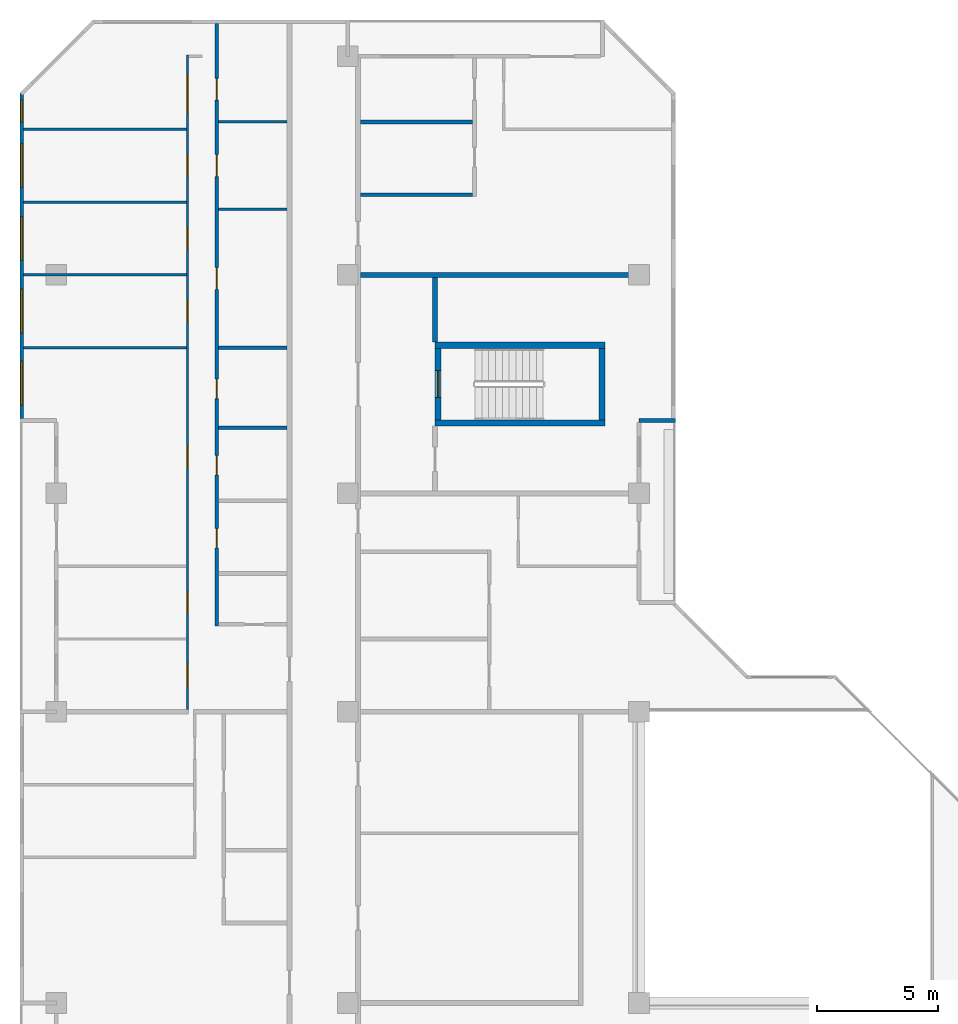
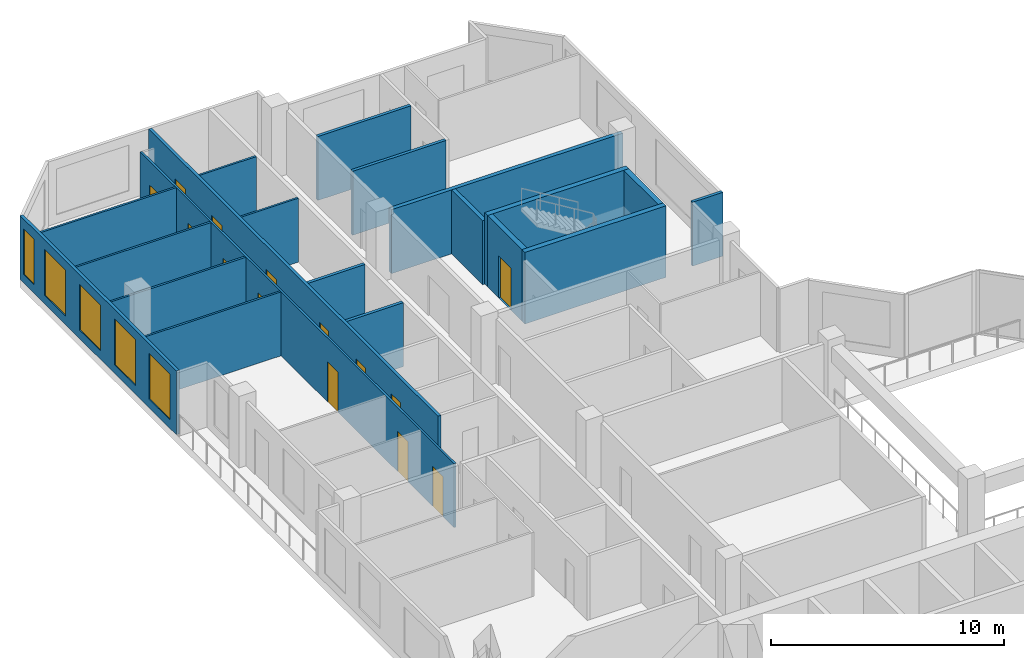
# One storey, part 10 of 15: 20 walls, 14 doors, 5 windows, 19 openings.
"""IFC4 building model written with IfcOpenShell, lengths in metres."""

from ifc_helpers import new_model, si_unit, direction, frame, frame_2d, origin, place, context, subcontext, project, spatial, rectangle, extrude, material, layer, layer_set, type_object, element, fill, save


model = new_model("IFC4")

# Units and contexts
model_context = context("Model", 3, precision=1e-05, world=origin(), true_north=direction((0.0, 1.0)))
body_context = subcontext(model_context, "Body", "Model", "MODEL_VIEW")
ifc_project = project(units=[si_unit("LENGTHUNIT", "METRE"), si_unit("AREAUNIT", "SQUARE_METRE"), si_unit("VOLUMEUNIT", "CUBIC_METRE"), si_unit("PLANEANGLEUNIT", "RADIAN"), si_unit("MASSUNIT", "GRAM", prefix="KILO")], contexts=[model_context])

# Site, building, storey
site_placement = place(None, origin())
site = spatial("IfcSite", under=ifc_project, at=site_placement, CompositionType="ELEMENT")
building_placement = place(site_placement, origin())
building = spatial("IfcBuilding", under=site, at=building_placement, Name="Chenar Terraces", CompositionType="ELEMENT")
storey_placement = place(building_placement, frame((0.0, 0.0, 215.39990234375)))
storey = spatial("IfcBuildingStorey", under=building, at=storey_placement, Name="L50", CompositionType="ELEMENT", Elevation=215.39990234375)

# Walls
ifc_material_1 = material(Name="Concrete C60/75", Category="concrete")
ifc_layer_1 = layer(ifc_material_1, 0.25)
ifc_layer_set_1 = layer_set([ifc_layer_1], Name="Concrete C60/75")
wall_type_1 = type_object("IfcWallType", Name="Core wall 250 Concrete C60/75", PredefinedType="SHEAR", material=ifc_layer_set_1)
for number, where, z_axis, x_axis, name in (
    (1, (15.60009765625, 47.89990234375, 0.0), (0.0, 0.0, 1.0), (1.0, 0.0, 0.0), "Core wall ST4_S L50"),
    (2, (15.60009765625, 51.10009765625, 0.0), (0.0, 0.0, 1.0), (1.0, 0.0, 0.0), "Core wall ST4_N L50"),
):
    element("IfcWall", number, at=place(storey_placement, frame(where, z_axis=z_axis, x_axis=x_axis)), inside=storey, type_object=wall_type_1, Name=name, PredefinedType="SHEAR", context=body_context, shape_type="SweptSolid", body=[
        extrude(rectangle(XDim=7.0, YDim=0.25, at=frame_2d((3.5, 0.0))), origin(), (0.0, 0.0, 1.0), 3.75),
    ])

# Wall, opening, door
wall_1_placement = place(storey_placement, frame((15.72509765625, 48.02490234375, 0.0), z_axis=(0.0, 0.0, 1.0), x_axis=(0.0, 1.0, 0.0)))
wall_1 = element("IfcWall", 3, at=wall_1_placement, inside=storey, type_object=wall_type_1, Name="Core wall ST4_W L50", PredefinedType="SHEAR", context=body_context, shape_type="SweptSolid", body=[
    extrude(rectangle(XDim=2.9501953125, YDim=0.25, at=frame_2d((1.47509765625, 0.0))), origin(), (0.0, 0.0, 1.0), 3.75),
])
opening_1_placement = place(wall_1_placement, frame((0.925048828125, 0.0, 0.0)))
opening_1 = element("IfcOpeningElement", 4, at=opening_1_placement, cuts=wall_1, Name="Opening DL50-C9", PredefinedType="OPENING", context=body_context, shape_type="SweptSolid", body=[
    extrude(rectangle(XDim=1.10009765625, YDim=2.199951171875, at=frame_2d((0.550048828125, 1.10009765625))), frame((0.0, 0.135009765625, 0.0), z_axis=(0.0, -1.0, 0.0), x_axis=(1.0, 0.0, 0.0)), (0.0, 0.0, 1.0), 0.27001953125),
])
ifc_material_2 = material(Name="Steel-framed fire-resisting door leaf", Category="steel")
door_type_1 = type_object("IfcDoorType", Name="Stair fire door FD60 1100 x 2200", OperationType="SINGLE_SWING_LEFT", PredefinedType="DOOR", material=ifc_material_2)
door_1_placement = place(opening_1_placement, frame((1.10009765625, 0.0, 0.0), z_axis=(0.0, 0.0, 1.0), x_axis=(-1.0, 0.0, 0.0)))
door_1 = element("IfcDoor", 5, at=door_1_placement, inside=storey, type_object=door_type_1, Name="Stair door DL50-C9", OperationType="SINGLE_SWING_RIGHT", OverallHeight=2.199951171875, OverallWidth=1.10009765625, PredefinedType="DOOR", context=body_context, shape_type="SweptSolid", body=[
    extrude(rectangle(XDim=1.10009765625, YDim=2.199951171875, at=frame_2d((0.550048828125, 1.10009765625))), frame((0.0, 0.02490234375, 0.0), z_axis=(0.0, -1.0, 0.0), x_axis=(1.0, 0.0, 0.0)), (0.0, 0.0, 1.0), 0.050048828125),
])
fill(opening_1, door_1)

# Walls
wall_2_placement = place(storey_placement, frame((22.47509765625, 48.02490234375, 0.0), z_axis=(0.0, 0.0, 1.0), x_axis=(0.0, 1.0, 0.0)))
element("IfcWall", 6, at=wall_2_placement, inside=storey, type_object=wall_type_1, Name="Core wall ST4_E L50", PredefinedType="SHEAR", context=body_context, shape_type="SweptSolid", body=[
    extrude(rectangle(XDim=2.9501953125, YDim=0.25, at=frame_2d((1.47509765625, 0.0))), origin(), (0.0, 0.0, 1.0), 3.75),
])
ifc_material_3 = material(Name="Gypsum board on steel studs with fire boards", Category="steel")
ifc_layer_2 = layer(ifc_material_3, 0.199951171875)
ifc_layer_set_2 = layer_set([ifc_layer_2], Name="Gypsum board on steel studs with fire boards")
wall_type_2 = type_object("IfcWallType", Name="Corridor wall 200", PredefinedType="PARTITIONING", material=ifc_layer_set_2)
wall_3_placement = place(storey_placement, frame((15.60009765625, 51.22509765625, 0.0), z_axis=(0.0, 0.0, 1.0), x_axis=(0.0, 1.0, 0.0)))
element("IfcWall", 7, at=wall_3_placement, inside=storey, type_object=wall_type_2, Name="Partition L50-045", PredefinedType="PARTITIONING", context=body_context, shape_type="SweptSolid", body=[
    extrude(rectangle(XDim=2.6748046875, YDim=0.199951171875, at=frame_2d((1.33740234375, 0.0))), origin(), (0.0, 0.0, 1.0), 3.35009765625),
])

# Wall, openings, windows
ifc_material_4 = material(Name="Aluminium framed glazing", Category="aluminium")
ifc_layer_3 = layer(ifc_material_4, 0.14990234375)
ifc_layer_set_3 = layer_set([ifc_layer_3], Name="Aluminium framed glazing")
wall_type_3 = type_object("IfcWallType", Name="Glazed flush facade wall 150", PredefinedType="SOLIDWALL", material=ifc_layer_set_3)
wall_4_placement = place(storey_placement, frame((-1.425048828125, 61.5, 0.0), z_axis=(0.0, 0.0, 1.0), x_axis=(0.0, -1.0, 0.0)))
wall_4 = element("IfcWall", 8, at=wall_4_placement, inside=storey, type_object=wall_type_3, Name="Glazed flush facade wall", PredefinedType="SOLIDWALL", context=body_context, shape_type="SweptSolid", body=[
    extrude(rectangle(XDim=13.425048828125, YDim=0.14990234375, at=frame_2d((6.71240234375, 0.0))), origin(), (0.0, 0.0, 1.0), 3.35009765625),
])
opening_2_placement = place(wall_4_placement, frame((0.300048828125, 0.0, 0.449951171875)))
opening_2 = element("IfcOpeningElement", 9, at=opening_2_placement, cuts=wall_4, Name="Opening W90x240", PredefinedType="OPENING", context=body_context, shape_type="SweptSolid", body=[
    extrude(rectangle(XDim=0.89990234375, YDim=2.39990234375, at=frame_2d((0.449951171875, 1.199951171875))), frame((0.0, 0.0849609375, 0.0), z_axis=(0.0, -1.0, 0.0), x_axis=(1.0, 0.0, 0.0)), (0.0, 0.0, 1.0), 0.169921875),
])
opening_3_placement = place(wall_4_placement, frame((2.10009765625, 0.0, 0.449951171875)))
opening_3 = element("IfcOpeningElement", 10, at=opening_3_placement, cuts=wall_4, Name="Opening W180x240", PredefinedType="OPENING", context=body_context, shape_type="SweptSolid", body=[
    extrude(rectangle(XDim=1.800048828125, YDim=2.39990234375, at=frame_2d((0.89990234375, 1.199951171875))), frame((0.0, 0.0849609375, 0.0), z_axis=(0.0, -1.0, 0.0), x_axis=(1.0, 0.0, 0.0)), (0.0, 0.0, 1.0), 0.169921875),
])
opening_4_placement = place(wall_4_placement, frame((5.10009765625, 0.0, 0.449951171875)))
opening_4 = element("IfcOpeningElement", 11, at=opening_4_placement, cuts=wall_4, Name="Opening W180x240", PredefinedType="OPENING", context=body_context, shape_type="SweptSolid", body=[
    extrude(rectangle(XDim=1.800048828125, YDim=2.39990234375, at=frame_2d((0.89990234375, 1.199951171875))), frame((0.0, 0.0849609375, 0.0), z_axis=(0.0, -1.0, 0.0), x_axis=(1.0, 0.0, 0.0)), (0.0, 0.0, 1.0), 0.169921875),
])
opening_5_placement = place(wall_4_placement, frame((8.10009765625, 0.0, 0.449951171875)))
opening_5 = element("IfcOpeningElement", 12, at=opening_5_placement, cuts=wall_4, Name="Opening W180x240", PredefinedType="OPENING", context=body_context, shape_type="SweptSolid", body=[
    extrude(rectangle(XDim=1.800048828125, YDim=2.39990234375, at=frame_2d((0.89990234375, 1.199951171875))), frame((0.0, 0.0849609375, 0.0), z_axis=(0.0, -1.0, 0.0), x_axis=(1.0, 0.0, 0.0)), (0.0, 0.0, 1.0), 0.169921875),
])
opening_6_placement = place(wall_4_placement, frame((11.0625, 0.0, 0.449951171875)))
opening_6 = element("IfcOpeningElement", 13, at=opening_6_placement, cuts=wall_4, Name="Opening W180x240", PredefinedType="OPENING", context=body_context, shape_type="SweptSolid", body=[
    extrude(rectangle(XDim=1.800048828125, YDim=2.39990234375, at=frame_2d((0.89990234375, 1.199951171875))), frame((0.0, 0.0849609375, 0.0), z_axis=(0.0, -1.0, 0.0), x_axis=(1.0, 0.0, 0.0)), (0.0, 0.0, 1.0), 0.169921875),
])
ifc_material_5 = material(Name="Low emissivity double glazing, aluminium frame", Category="aluminium")
window_type_1 = type_object("IfcWindowType", Name="Fixed light 1800 x 2400", PartitioningType="SINGLE_PANEL", PredefinedType="WINDOW", material=ifc_material_5)
window_1_placement = place(opening_3_placement, origin())
window_1 = element("IfcWindow", 14, at=window_1_placement, inside=storey, type_object=window_type_1, Name="Window", OverallHeight=2.39990234375, OverallWidth=1.800048828125, PartitioningType="SINGLE_PANEL", PredefinedType="WINDOW", context=body_context, shape_type="SweptSolid", body=[
    extrude(rectangle(XDim=1.800048828125, YDim=2.39990234375, at=frame_2d((0.89990234375, 1.199951171875))), frame((0.0, 0.030029296875, 0.0), z_axis=(0.0, -1.0, 0.0), x_axis=(1.0, 0.0, 0.0)), (0.0, 0.0, 1.0), 0.06005859375),
])
fill(opening_3, window_1)
window_2_placement = place(opening_4_placement, origin())
window_2 = element("IfcWindow", 15, at=window_2_placement, inside=storey, type_object=window_type_1, Name="Window", OverallHeight=2.39990234375, OverallWidth=1.800048828125, PartitioningType="SINGLE_PANEL", PredefinedType="WINDOW", context=body_context, shape_type="SweptSolid", body=[
    extrude(rectangle(XDim=1.800048828125, YDim=2.39990234375, at=frame_2d((0.89990234375, 1.199951171875))), frame((0.0, 0.030029296875, 0.0), z_axis=(0.0, -1.0, 0.0), x_axis=(1.0, 0.0, 0.0)), (0.0, 0.0, 1.0), 0.06005859375),
])
fill(opening_4, window_2)
window_3_placement = place(opening_5_placement, origin())
window_3 = element("IfcWindow", 16, at=window_3_placement, inside=storey, type_object=window_type_1, Name="Window", OverallHeight=2.39990234375, OverallWidth=1.800048828125, PartitioningType="SINGLE_PANEL", PredefinedType="WINDOW", context=body_context, shape_type="SweptSolid", body=[
    extrude(rectangle(XDim=1.800048828125, YDim=2.39990234375, at=frame_2d((0.89990234375, 1.199951171875))), frame((0.0, 0.030029296875, 0.0), z_axis=(0.0, -1.0, 0.0), x_axis=(1.0, 0.0, 0.0)), (0.0, 0.0, 1.0), 0.06005859375),
])
fill(opening_5, window_3)
window_4_placement = place(opening_6_placement, origin())
window_4 = element("IfcWindow", 17, at=window_4_placement, inside=storey, type_object=window_type_1, Name="Window", OverallHeight=2.39990234375, OverallWidth=1.800048828125, PartitioningType="SINGLE_PANEL", PredefinedType="WINDOW", context=body_context, shape_type="SweptSolid", body=[
    extrude(rectangle(XDim=1.800048828125, YDim=2.39990234375, at=frame_2d((0.89990234375, 1.199951171875))), frame((0.0, 0.030029296875, 0.0), z_axis=(0.0, -1.0, 0.0), x_axis=(1.0, 0.0, 0.0)), (0.0, 0.0, 1.0), 0.06005859375),
])
fill(opening_6, window_4)
ifc_material_6 = material(Name="Low emissivity double glazing, aluminium frame", Category="aluminium")
window_type_2 = type_object("IfcWindowType", Name="Fixed light 900 x 2400", PartitioningType="SINGLE_PANEL", PredefinedType="WINDOW", material=ifc_material_6)
window_5_placement = place(opening_2_placement, origin())
window_5 = element("IfcWindow", 18, at=window_5_placement, inside=storey, type_object=window_type_2, Name="Window", OverallHeight=2.39990234375, OverallWidth=0.89990234375, PartitioningType="SINGLE_PANEL", PredefinedType="WINDOW", context=body_context, shape_type="SweptSolid", body=[
    extrude(rectangle(XDim=0.89990234375, YDim=2.39990234375, at=frame_2d((0.449951171875, 1.199951171875))), frame((0.0, 0.030029296875, 0.0), z_axis=(0.0, -1.0, 0.0), x_axis=(1.0, 0.0, 0.0)), (0.0, 0.0, 1.0), 0.06005859375),
])
fill(opening_2, window_5)

# Walls
ifc_material_7 = material(Name="Gypsum board on steel studs", Category="steel")
ifc_layer_4 = layer(ifc_material_7, 0.10009765625)
ifc_layer_set_4 = layer_set([ifc_layer_4], Name="Gypsum board on steel studs")
wall_type_4 = type_object("IfcWallType", Name="Gypsum partition 100", PredefinedType="PARTITIONING", material=ifc_layer_set_4)
for number, where, z_axis, x_axis, name in (
    (19, (-1.35107421875, 54.0, 0.0), (0.0, 0.0, 1.0), (1.0, 0.0, 0.0), "Partition L50-002"),
    (20, (-1.35107421875, 57.0, 0.0), (0.0, 0.0, 1.0), (1.0, 0.0, 0.0), "Partition L50-003"),
    (21, (-1.35107421875, 60.0, 0.0), (0.0, 0.0, 1.0), (1.0, 0.0, 0.0), "Partition L50-004"),
):
    element("IfcWall", number, at=place(storey_placement, frame(where, z_axis=z_axis, x_axis=x_axis)), inside=storey, type_object=wall_type_4, Name=name, PredefinedType="PARTITIONING", context=body_context, shape_type="SweptSolid", body=[
        extrude(rectangle(XDim=6.701171875, YDim=0.10009765625, at=frame_2d((3.3505859375, 0.0))), origin(), (0.0, 0.0, 1.0), 3.35009765625),
    ])
wall_5_placement = place(storey_placement, frame((-1.35009765625, 51.0, 0.0), z_axis=(0.0, 0.0, 1.0), x_axis=(1.0, 0.0, 0.0)))
element("IfcWall", 22, at=wall_5_placement, inside=storey, type_object=wall_type_4, Name="Partition L50-007", PredefinedType="PARTITIONING", context=body_context, shape_type="SweptSolid", body=[
    extrude(rectangle(XDim=6.7001953125, YDim=0.10009765625, at=frame_2d((3.35009765625, 0.0))), origin(), (0.0, 0.0, 1.0), 3.35009765625),
])

# Wall, openings, doors
wall_6_placement = place(storey_placement, frame((5.39990234375, 36.10009765625, 0.0), z_axis=(0.0, 0.0, 1.0), x_axis=(0.0, 1.0, 0.0)))
wall_6 = element("IfcWall", 23, at=wall_6_placement, inside=storey, type_object=wall_type_4, Name="Partition L50-013", PredefinedType="PARTITIONING", context=body_context, shape_type="SweptSolid", body=[
    extrude(rectangle(XDim=26.949951171875, YDim=0.10009765625, at=frame_2d((13.47509765625, 0.0))), origin(), (0.0, 0.0, 1.0), 3.35009765625),
])
opening_7_placement = place(wall_6_placement, frame((0.949951171875, 0.0, 0.0)))
opening_7 = element("IfcOpeningElement", 24, at=opening_7_placement, cuts=wall_6, Name="Opening DL50-24", PredefinedType="OPENING", context=body_context, shape_type="SweptSolid", body=[
    extrude(rectangle(XDim=0.89990234375, YDim=2.10009765625, at=frame_2d((0.449951171875, 1.050048828125))), frame((0.0, 0.06005859375, 0.0), z_axis=(0.0, -1.0, 0.0), x_axis=(1.0, 0.0, 0.0)), (0.0, 0.0, 1.0), 0.1201171875),
])
opening_8_placement = place(wall_6_placement, frame((3.949951171875, 0.0, 0.0)))
opening_8 = element("IfcOpeningElement", 25, at=opening_8_placement, cuts=wall_6, Name="Opening DL50-25", PredefinedType="OPENING", context=body_context, shape_type="SweptSolid", body=[
    extrude(rectangle(XDim=0.89990234375, YDim=2.10009765625, at=frame_2d((0.449951171875, 1.050048828125))), frame((0.0, 0.06005859375, 0.0), z_axis=(0.0, -1.0, 0.0), x_axis=(1.0, 0.0, 0.0)), (0.0, 0.0, 1.0), 0.1201171875),
])
opening_9_placement = place(wall_6_placement, frame((15.949951171875, 0.0, 0.0)))
opening_9 = element("IfcOpeningElement", 26, at=opening_9_placement, cuts=wall_6, Name="Opening DL50-26", PredefinedType="OPENING", context=body_context, shape_type="SweptSolid", body=[
    extrude(rectangle(XDim=0.89990234375, YDim=2.10009765625, at=frame_2d((0.449951171875, 1.050048828125))), frame((0.0, 0.06005859375, 0.0), z_axis=(0.0, -1.0, 0.0), x_axis=(1.0, 0.0, 0.0)), (0.0, 0.0, 1.0), 0.1201171875),
])
opening_10_placement = place(wall_6_placement, frame((18.949951171875, 0.0, 0.0)))
opening_10 = element("IfcOpeningElement", 27, at=opening_10_placement, cuts=wall_6, Name="Opening DL50-27", PredefinedType="OPENING", context=body_context, shape_type="SweptSolid", body=[
    extrude(rectangle(XDim=0.89990234375, YDim=2.10009765625, at=frame_2d((0.449951171875, 1.050048828125))), frame((0.0, 0.06005859375, 0.0), z_axis=(0.0, -1.0, 0.0), x_axis=(1.0, 0.0, 0.0)), (0.0, 0.0, 1.0), 0.1201171875),
])
opening_11_placement = place(wall_6_placement, frame((21.949951171875, 0.0, 0.0)))
opening_11 = element("IfcOpeningElement", 28, at=opening_11_placement, cuts=wall_6, Name="Opening DL50-28", PredefinedType="OPENING", context=body_context, shape_type="SweptSolid", body=[
    extrude(rectangle(XDim=0.89990234375, YDim=2.10009765625, at=frame_2d((0.449951171875, 1.050048828125))), frame((0.0, 0.06005859375, 0.0), z_axis=(0.0, -1.0, 0.0), x_axis=(1.0, 0.0, 0.0)), (0.0, 0.0, 1.0), 0.1201171875),
])
opening_12_placement = place(wall_6_placement, frame((9.949951171875, 0.0, 0.0)))
opening_12 = element("IfcOpeningElement", 29, at=opening_12_placement, cuts=wall_6, Name="Opening DL50-32", PredefinedType="OPENING", context=body_context, shape_type="SweptSolid", body=[
    extrude(rectangle(XDim=0.89990234375, YDim=2.10009765625, at=frame_2d((0.449951171875, 1.050048828125))), frame((0.0, 0.06005859375, 0.0), z_axis=(0.0, -1.0, 0.0), x_axis=(1.0, 0.0, 0.0)), (0.0, 0.0, 1.0), 0.1201171875),
])
opening_13_placement = place(wall_6_placement, frame((24.550048828125, 0.0, 0.0)))
opening_13 = element("IfcOpeningElement", 30, at=opening_13_placement, cuts=wall_6, Name="Opening DL50-33", PredefinedType="OPENING", context=body_context, shape_type="SweptSolid", body=[
    extrude(rectangle(XDim=1.60009765625, YDim=2.10009765625, at=frame_2d((0.800048828125, 1.050048828125))), frame((0.0, 0.06005859375, 0.0), z_axis=(0.0, -1.0, 0.0), x_axis=(1.0, 0.0, 0.0)), (0.0, 0.0, 1.0), 0.1201171875),
])
ifc_material_8 = material(Name="Veneered timber door leaf", Category="wood")
door_type_2 = type_object("IfcDoorType", Name="Door 900 x 2100", OperationType="SINGLE_SWING_LEFT", PredefinedType="DOOR", material=ifc_material_8)
door_2_placement = place(opening_7_placement, origin())
door_2 = element("IfcDoor", 31, at=door_2_placement, inside=storey, type_object=door_type_2, Name="Door DL50-24", OperationType="SINGLE_SWING_RIGHT", OverallHeight=2.10009765625, OverallWidth=0.89990234375, PredefinedType="DOOR", context=body_context, shape_type="SweptSolid", body=[
    extrude(rectangle(XDim=0.89990234375, YDim=2.10009765625, at=frame_2d((0.449951171875, 1.050048828125))), frame((0.0, 0.02490234375, 0.0), z_axis=(0.0, -1.0, 0.0), x_axis=(1.0, 0.0, 0.0)), (0.0, 0.0, 1.0), 0.050048828125),
])
fill(opening_7, door_2)
door_3_placement = place(opening_8_placement, origin())
door_3 = element("IfcDoor", 32, at=door_3_placement, inside=storey, type_object=door_type_2, Name="Door DL50-25", OperationType="SINGLE_SWING_RIGHT", OverallHeight=2.10009765625, OverallWidth=0.89990234375, PredefinedType="DOOR", context=body_context, shape_type="SweptSolid", body=[
    extrude(rectangle(XDim=0.89990234375, YDim=2.10009765625, at=frame_2d((0.449951171875, 1.050048828125))), frame((0.0, 0.02490234375, 0.0), z_axis=(0.0, -1.0, 0.0), x_axis=(1.0, 0.0, 0.0)), (0.0, 0.0, 1.0), 0.050048828125),
])
fill(opening_8, door_3)
door_4_placement = place(opening_9_placement, origin())
door_4 = element("IfcDoor", 33, at=door_4_placement, inside=storey, type_object=door_type_2, Name="Door DL50-26", OperationType="SINGLE_SWING_RIGHT", OverallHeight=2.10009765625, OverallWidth=0.89990234375, PredefinedType="DOOR", context=body_context, shape_type="SweptSolid", body=[
    extrude(rectangle(XDim=0.89990234375, YDim=2.10009765625, at=frame_2d((0.449951171875, 1.050048828125))), frame((0.0, 0.02490234375, 0.0), z_axis=(0.0, -1.0, 0.0), x_axis=(1.0, 0.0, 0.0)), (0.0, 0.0, 1.0), 0.050048828125),
])
fill(opening_9, door_4)
door_5_placement = place(opening_10_placement, origin())
door_5 = element("IfcDoor", 34, at=door_5_placement, inside=storey, type_object=door_type_2, Name="Door DL50-27", OperationType="SINGLE_SWING_RIGHT", OverallHeight=2.10009765625, OverallWidth=0.89990234375, PredefinedType="DOOR", context=body_context, shape_type="SweptSolid", body=[
    extrude(rectangle(XDim=0.89990234375, YDim=2.10009765625, at=frame_2d((0.449951171875, 1.050048828125))), frame((0.0, 0.02490234375, 0.0), z_axis=(0.0, -1.0, 0.0), x_axis=(1.0, 0.0, 0.0)), (0.0, 0.0, 1.0), 0.050048828125),
])
fill(opening_10, door_5)
door_6_placement = place(opening_11_placement, origin())
door_6 = element("IfcDoor", 35, at=door_6_placement, inside=storey, type_object=door_type_2, Name="Door DL50-28", OperationType="SINGLE_SWING_RIGHT", OverallHeight=2.10009765625, OverallWidth=0.89990234375, PredefinedType="DOOR", context=body_context, shape_type="SweptSolid", body=[
    extrude(rectangle(XDim=0.89990234375, YDim=2.10009765625, at=frame_2d((0.449951171875, 1.050048828125))), frame((0.0, 0.02490234375, 0.0), z_axis=(0.0, -1.0, 0.0), x_axis=(1.0, 0.0, 0.0)), (0.0, 0.0, 1.0), 0.050048828125),
])
fill(opening_11, door_6)
door_7_placement = place(opening_12_placement, frame((0.89990234375, 0.0, 0.0), z_axis=(0.0, 0.0, 1.0), x_axis=(-1.0, 0.0, 0.0)))
door_7 = element("IfcDoor", 36, at=door_7_placement, inside=storey, type_object=door_type_2, Name="Door DL50-32", OperationType="SINGLE_SWING_LEFT", OverallHeight=2.10009765625, OverallWidth=0.89990234375, PredefinedType="DOOR", context=body_context, shape_type="SweptSolid", body=[
    extrude(rectangle(XDim=0.89990234375, YDim=2.10009765625, at=frame_2d((0.449951171875, 1.050048828125))), frame((0.0, 0.02490234375, 0.0), z_axis=(0.0, -1.0, 0.0), x_axis=(1.0, 0.0, 0.0)), (0.0, 0.0, 1.0), 0.050048828125),
])
fill(opening_12, door_7)
ifc_material_9 = material(Name="Veneered timber door leaf", Category="wood")
door_type_3 = type_object("IfcDoorType", Name="Double door 1600 x 2100", OperationType="DOUBLE_DOOR_SINGLE_SWING", PredefinedType="DOOR", material=ifc_material_9)
door_8_placement = place(opening_13_placement, origin())
door_8 = element("IfcDoor", 37, at=door_8_placement, inside=storey, type_object=door_type_3, Name="Door DL50-33", OperationType="DOUBLE_DOOR_SINGLE_SWING", OverallHeight=2.10009765625, OverallWidth=1.60009765625, PredefinedType="DOOR", context=body_context, shape_type="SweptSolid", body=[
    extrude(rectangle(XDim=1.60009765625, YDim=2.10009765625, at=frame_2d((0.800048828125, 1.050048828125))), frame((0.0, 0.02490234375, 0.0), z_axis=(0.0, -1.0, 0.0), x_axis=(1.0, 0.0, 0.0)), (0.0, 0.0, 1.0), 0.050048828125),
])
fill(opening_13, door_8)

# Walls
for number, where, z_axis, x_axis, name in (
    (38, (6.675048828125, 56.699951171875, 0.0), (0.0, 0.0, 1.0), (1.0, 0.0, 0.0), "Partition L50-023"),
    (39, (6.675048828125, 60.300048828125, 0.0), (0.0, 0.0, 1.0), (1.0, 0.0, 0.0), "Partition L50-024"),
):
    element("IfcWall", number, at=place(storey_placement, frame(where, z_axis=z_axis, x_axis=x_axis)), inside=storey, type_object=wall_type_4, Name=name, PredefinedType="PARTITIONING", context=body_context, shape_type="SweptSolid", body=[
        extrude(rectangle(XDim=2.824951171875, YDim=0.10009765625, at=frame_2d((1.41259765625, 0.0))), origin(), (0.0, 0.0, 1.0), 3.35009765625),
    ])
ifc_material_10 = material(Name="Terracotta cladding on insulated backing", Category="masonry")
ifc_layer_5 = layer(ifc_material_10, 0.14990234375)
ifc_layer_set_5 = layer_set([ifc_layer_5], Name="Terracotta cladding on insulated backing")
wall_type_5 = type_object("IfcWallType", Name="Loggia return wall 150", PredefinedType="SOLIDWALL", material=ifc_layer_set_5)
wall_7_placement = place(storey_placement, frame((25.5, 48.0, 0.0), z_axis=(0.0, 0.0, 1.0), x_axis=(-1.0, 0.0, 0.0)))
element("IfcWall", 40, at=wall_7_placement, inside=storey, type_object=wall_type_5, Name="Loggia return wall", PredefinedType="SOLIDWALL", context=body_context, shape_type="SweptSolid", body=[
    extrude(rectangle(XDim=1.5, YDim=0.14990234375, at=frame_2d((0.75, 0.0))), origin(), (0.0, 0.0, 1.0), 3.35009765625),
])
ifc_material_11 = material(Name="Twin gypsum board on steel studs with mineral wool", Category="steel")
ifc_layer_6 = layer(ifc_material_11, 0.199951171875)
ifc_layer_set_6 = layer_set([ifc_layer_6], Name="Twin gypsum board on steel studs with mineral wool")
wall_type_6 = type_object("IfcWallType", Name="Unit demising wall 200", PredefinedType="PARTITIONING", material=ifc_layer_set_6)
wall_8_placement = place(storey_placement, frame((12.52490234375, 54.0, 0.0), z_axis=(0.0, 0.0, 1.0), x_axis=(1.0, 0.0, 0.0)))
element("IfcWall", 41, at=wall_8_placement, inside=storey, type_object=wall_type_6, Name="Partition L50-040", PredefinedType="PARTITIONING", context=body_context, shape_type="SweptSolid", body=[
    extrude(rectangle(XDim=11.47509765625, YDim=0.199951171875, at=frame_2d((5.737548828125, 0.0))), origin(), (0.0, 0.0, 1.0), 3.35009765625),
])

# Wall, openings, doors
ifc_material_12 = material(Name="Moisture-resistant gypsum board on steel studs", Category="steel")
ifc_layer_7 = layer(ifc_material_12, 0.14990234375)
ifc_layer_set_7 = layer_set([ifc_layer_7], Name="Moisture-resistant gypsum board on steel studs")
wall_type_7 = type_object("IfcWallType", Name="Wet-room partition 150", PredefinedType="PARTITIONING", material=ifc_layer_set_7)
wall_9_placement = place(storey_placement, frame((6.60009765625, 39.52490234375, 0.0), z_axis=(0.0, 0.0, 1.0), x_axis=(0.0, 1.0, 0.0)))
wall_9 = element("IfcWall", 42, at=wall_9_placement, inside=storey, type_object=wall_type_7, Name="Partition L50-017", PredefinedType="PARTITIONING", context=body_context, shape_type="SweptSolid", body=[
    extrude(rectangle(XDim=24.8251953125, YDim=0.14990234375, at=frame_2d((12.41259765625, 0.0))), origin(), (0.0, 0.0, 1.0), 3.35009765625),
])
opening_14_placement = place(wall_9_placement, frame((3.22509765625, 0.0, 0.0)))
opening_14 = element("IfcOpeningElement", 43, at=opening_14_placement, cuts=wall_9, Name="Opening DL50-23", PredefinedType="OPENING", context=body_context, shape_type="SweptSolid", body=[
    extrude(rectangle(XDim=0.800048828125, YDim=2.10009765625, at=frame_2d((0.39990234375, 1.050048828125))), frame((0.0, 0.0849609375, 0.0), z_axis=(0.0, -1.0, 0.0), x_axis=(1.0, 0.0, 0.0)), (0.0, 0.0, 1.0), 0.169921875),
])
opening_15_placement = place(wall_9_placement, frame((13.875, 0.0, 0.0)))
opening_15 = element("IfcOpeningElement", 44, at=opening_15_placement, cuts=wall_9, Name="Opening DL50-30", PredefinedType="OPENING", context=body_context, shape_type="SweptSolid", body=[
    extrude(rectangle(XDim=0.89990234375, YDim=2.10009765625, at=frame_2d((0.449951171875, 1.050048828125))), frame((0.0, 0.0849609375, 0.0), z_axis=(0.0, -1.0, 0.0), x_axis=(1.0, 0.0, 0.0)), (0.0, 0.0, 1.0), 0.169921875),
])
opening_16_placement = place(wall_9_placement, frame((6.22509765625, 0.0, 0.0)))
opening_16 = element("IfcOpeningElement", 45, at=opening_16_placement, cuts=wall_9, Name="Opening DL50-31", PredefinedType="OPENING", context=body_context, shape_type="SweptSolid", body=[
    extrude(rectangle(XDim=0.800048828125, YDim=2.10009765625, at=frame_2d((0.39990234375, 1.050048828125))), frame((0.0, 0.0849609375, 0.0), z_axis=(0.0, -1.0, 0.0), x_axis=(1.0, 0.0, 0.0)), (0.0, 0.0, 1.0), 0.169921875),
])
opening_17_placement = place(wall_9_placement, frame((18.52490234375, 0.0, 0.0)))
opening_17 = element("IfcOpeningElement", 46, at=opening_17_placement, cuts=wall_9, Name="Opening DL50-34", PredefinedType="OPENING", context=body_context, shape_type="SweptSolid", body=[
    extrude(rectangle(XDim=0.89990234375, YDim=2.10009765625, at=frame_2d((0.449951171875, 1.050048828125))), frame((0.0, 0.0849609375, 0.0), z_axis=(0.0, -1.0, 0.0), x_axis=(1.0, 0.0, 0.0)), (0.0, 0.0, 1.0), 0.169921875),
])
opening_18_placement = place(wall_9_placement, frame((21.675048828125, 0.0, 0.0)))
opening_18 = element("IfcOpeningElement", 47, at=opening_18_placement, cuts=wall_9, Name="Opening DL50-35", PredefinedType="OPENING", context=body_context, shape_type="SweptSolid", body=[
    extrude(rectangle(XDim=0.89990234375, YDim=2.10009765625, at=frame_2d((0.449951171875, 1.050048828125))), frame((0.0, 0.0849609375, 0.0), z_axis=(0.0, -1.0, 0.0), x_axis=(1.0, 0.0, 0.0)), (0.0, 0.0, 1.0), 0.169921875),
])
opening_19_placement = place(wall_9_placement, frame((9.375, 0.0, 0.0)))
opening_19 = element("IfcOpeningElement", 48, at=opening_19_placement, cuts=wall_9, Name="Opening DL50-37", PredefinedType="OPENING", context=body_context, shape_type="SweptSolid", body=[
    extrude(rectangle(XDim=0.800048828125, YDim=2.10009765625, at=frame_2d((0.39990234375, 1.050048828125))), frame((0.0, 0.0849609375, 0.0), z_axis=(0.0, -1.0, 0.0), x_axis=(1.0, 0.0, 0.0)), (0.0, 0.0, 1.0), 0.169921875),
])
ifc_material_13 = material(Name="Veneered timber door leaf", Category="wood")
door_type_4 = type_object("IfcDoorType", Name="Door 800 x 2100", OperationType="SINGLE_SWING_LEFT", PredefinedType="DOOR", material=ifc_material_13)
door_9_placement = place(opening_14_placement, frame((0.800048828125, 0.0, 0.0), z_axis=(0.0, 0.0, 1.0), x_axis=(-1.0, 0.0, 0.0)))
door_9 = element("IfcDoor", 49, at=door_9_placement, inside=storey, type_object=door_type_4, Name="Door DL50-23", OperationType="SINGLE_SWING_RIGHT", OverallHeight=2.10009765625, OverallWidth=0.800048828125, PredefinedType="DOOR", context=body_context, shape_type="SweptSolid", body=[
    extrude(rectangle(XDim=0.800048828125, YDim=2.10009765625, at=frame_2d((0.39990234375, 1.050048828125))), frame((0.0, 0.02490234375, 0.0), z_axis=(0.0, -1.0, 0.0), x_axis=(1.0, 0.0, 0.0)), (0.0, 0.0, 1.0), 0.050048828125),
])
fill(opening_14, door_9)
door_10_placement = place(opening_16_placement, frame((0.800048828125, 0.0, 0.0), z_axis=(0.0, 0.0, 1.0), x_axis=(-1.0, 0.0, 0.0)))
door_10 = element("IfcDoor", 50, at=door_10_placement, inside=storey, type_object=door_type_4, Name="Door DL50-31", OperationType="SINGLE_SWING_RIGHT", OverallHeight=2.10009765625, OverallWidth=0.800048828125, PredefinedType="DOOR", context=body_context, shape_type="SweptSolid", body=[
    extrude(rectangle(XDim=0.800048828125, YDim=2.10009765625, at=frame_2d((0.39990234375, 1.050048828125))), frame((0.0, 0.02490234375, 0.0), z_axis=(0.0, -1.0, 0.0), x_axis=(1.0, 0.0, 0.0)), (0.0, 0.0, 1.0), 0.050048828125),
])
fill(opening_16, door_10)
door_11_placement = place(opening_19_placement, frame((0.800048828125, 0.0, 0.0), z_axis=(0.0, 0.0, 1.0), x_axis=(-1.0, 0.0, 0.0)))
door_11 = element("IfcDoor", 51, at=door_11_placement, inside=storey, type_object=door_type_4, Name="Door DL50-37", OperationType="SINGLE_SWING_RIGHT", OverallHeight=2.10009765625, OverallWidth=0.800048828125, PredefinedType="DOOR", context=body_context, shape_type="SweptSolid", body=[
    extrude(rectangle(XDim=0.800048828125, YDim=2.10009765625, at=frame_2d((0.39990234375, 1.050048828125))), frame((0.0, 0.02490234375, 0.0), z_axis=(0.0, -1.0, 0.0), x_axis=(1.0, 0.0, 0.0)), (0.0, 0.0, 1.0), 0.050048828125),
])
fill(opening_19, door_11)
door_12_placement = place(opening_15_placement, frame((0.89990234375, 0.0, 0.0), z_axis=(0.0, 0.0, 1.0), x_axis=(-1.0, 0.0, 0.0)))
door_12 = element("IfcDoor", 52, at=door_12_placement, inside=storey, type_object=door_type_2, Name="Door DL50-30", OperationType="SINGLE_SWING_RIGHT", OverallHeight=2.10009765625, OverallWidth=0.89990234375, PredefinedType="DOOR", context=body_context, shape_type="SweptSolid", body=[
    extrude(rectangle(XDim=0.89990234375, YDim=2.10009765625, at=frame_2d((0.449951171875, 1.050048828125))), frame((0.0, 0.02490234375, 0.0), z_axis=(0.0, -1.0, 0.0), x_axis=(1.0, 0.0, 0.0)), (0.0, 0.0, 1.0), 0.050048828125),
])
fill(opening_15, door_12)
door_13_placement = place(opening_17_placement, frame((0.89990234375, 0.0, 0.0), z_axis=(0.0, 0.0, 1.0), x_axis=(-1.0, 0.0, 0.0)))
door_13 = element("IfcDoor", 53, at=door_13_placement, inside=storey, type_object=door_type_2, Name="Door DL50-34", OperationType="SINGLE_SWING_RIGHT", OverallHeight=2.10009765625, OverallWidth=0.89990234375, PredefinedType="DOOR", context=body_context, shape_type="SweptSolid", body=[
    extrude(rectangle(XDim=0.89990234375, YDim=2.10009765625, at=frame_2d((0.449951171875, 1.050048828125))), frame((0.0, 0.02490234375, 0.0), z_axis=(0.0, -1.0, 0.0), x_axis=(1.0, 0.0, 0.0)), (0.0, 0.0, 1.0), 0.050048828125),
])
fill(opening_17, door_13)
door_14_placement = place(opening_18_placement, frame((0.89990234375, 0.0, 0.0), z_axis=(0.0, 0.0, 1.0), x_axis=(-1.0, 0.0, 0.0)))
door_14 = element("IfcDoor", 54, at=door_14_placement, inside=storey, type_object=door_type_2, Name="Door DL50-35", OperationType="SINGLE_SWING_RIGHT", OverallHeight=2.10009765625, OverallWidth=0.89990234375, PredefinedType="DOOR", context=body_context, shape_type="SweptSolid", body=[
    extrude(rectangle(XDim=0.89990234375, YDim=2.10009765625, at=frame_2d((0.449951171875, 1.050048828125))), frame((0.0, 0.02490234375, 0.0), z_axis=(0.0, -1.0, 0.0), x_axis=(1.0, 0.0, 0.0)), (0.0, 0.0, 1.0), 0.050048828125),
])
fill(opening_18, door_14)

# Walls
for number, where, z_axis, x_axis, name in (
    (55, (6.675048828125, 47.699951171875, 0.0), (0.0, 0.0, 1.0), (1.0, 0.0, 0.0), "Partition L50-021"),
    (56, (6.675048828125, 51.0, 0.0), (0.0, 0.0, 1.0), (1.0, 0.0, 0.0), "Partition L50-022"),
):
    element("IfcWall", number, at=place(storey_placement, frame(where, z_axis=z_axis, x_axis=x_axis)), inside=storey, type_object=wall_type_7, Name=name, PredefinedType="PARTITIONING", context=body_context, shape_type="SweptSolid", body=[
        extrude(rectangle(XDim=2.824951171875, YDim=0.14990234375, at=frame_2d((1.41259765625, 0.0))), origin(), (0.0, 0.0, 1.0), 3.35009765625),
    ])
for number, where, z_axis, x_axis, name in (
    (57, (12.52490234375, 57.300048828125, 0.0), (0.0, 0.0, 1.0), (1.0, 0.0, 0.0), "Partition L50-041"),
    (58, (12.52490234375, 60.300048828125, 0.0), (0.0, 0.0, 1.0), (1.0, 0.0, 0.0), "Partition L50-042"),
):
    element("IfcWall", number, at=place(storey_placement, frame(where, z_axis=z_axis, x_axis=x_axis)), inside=storey, type_object=wall_type_7, Name=name, PredefinedType="PARTITIONING", context=body_context, shape_type="SweptSolid", body=[
        extrude(rectangle(XDim=4.625, YDim=0.14990234375, at=frame_2d((2.3125, 0.0))), origin(), (0.0, 0.0, 1.0), 3.35009765625),
    ])

save(model, "model.ifc")
